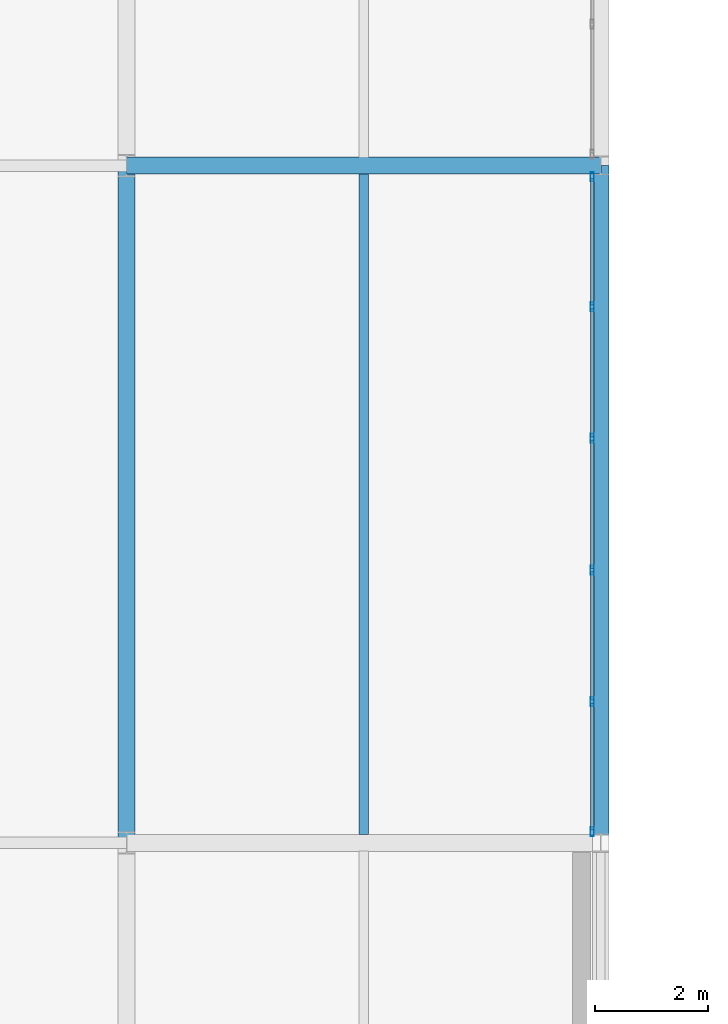
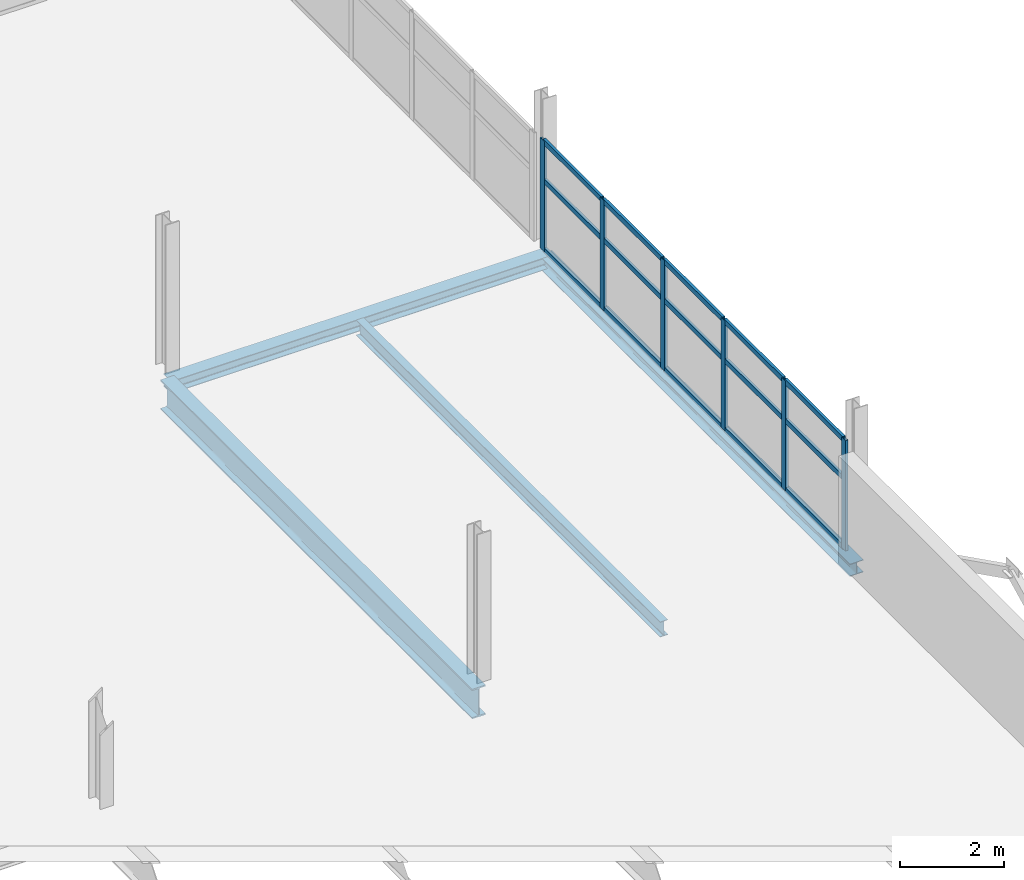
# One storey, part 57 of 103: 21 members, 4 beams, 1 element without a shape of its own.
"""IFC4 building model written with IfcOpenShell, lengths in metres."""

from ifc_helpers import new_model, si_unit, direction, frame, origin, origin_2d, place, context, subcontext, project, spatial, hollow_rectangle, i_section, extrude, material, material_profile, profile_set, type_object, element, aggregate, save


model = new_model("IFC4")

# Units and contexts
model_context = context("Model", 3, precision=1e-05, world=origin(), true_north=direction((0.0, 1.0)))
body_context = subcontext(model_context, "Body", "Model", "MODEL_VIEW")
ifc_project = project(units=[si_unit("LENGTHUNIT", "METRE"), si_unit("AREAUNIT", "SQUARE_METRE"), si_unit("VOLUMEUNIT", "CUBIC_METRE"), si_unit("PLANEANGLEUNIT", "RADIAN"), si_unit("MASSUNIT", "GRAM", prefix="KILO")], contexts=[model_context])

# Site, building, storey
site_placement = place(None, origin())
site = spatial("IfcSite", under=ifc_project, at=site_placement, CompositionType="ELEMENT")
building_placement = place(site_placement, origin())
building = spatial("IfcBuilding", under=site, at=building_placement, Name="Veltarok Museum of Natural Sciences", CompositionType="ELEMENT")
storey_placement = place(building_placement, frame((0.0, 0.0, 21.89990234375)))
storey = spatial("IfcBuildingStorey", under=building, at=storey_placement, Name="L04", CompositionType="ELEMENT", Elevation=21.89990234375)

# Curtain wall, members
ifc_material_1 = material(Name="Low-iron triple insulated glass", Category="glass")
curtain_wall_type = type_object("IfcCurtainWallType", Name="Curtain Wall System CW-V2E-L04-1-1166x259 (CW-V2E L04 1166x259cm)", PredefinedType="NOTDEFINED", material=ifc_material_1)
curtain_wall_placement = place(storey_placement, origin())
curtain_wall = element("IfcCurtainWall", 1, at=curtain_wall_placement, inside=storey, type_object=curtain_wall_type, Name="Curtain Wall CW-V2E-L04-1-1166x259 CW-0137", PredefinedType="NOTDEFINED")
ifc_material_2 = material(Name="Thermally broken anodised aluminium", Category="aluminium")
ifc_material_profile_1 = material_profile(ifc_material_2, hollow_rectangle(XDim=0.06005859375, YDim=0.1201171875, WallThickness=0.0048828125, at=origin_2d()), Name="CW TRANSOM 60x120x5")
ifc_profile_set_1 = profile_set([ifc_material_profile_1], Name="Thermally broken anodised aluminium")
member_type_1 = type_object("IfcMemberType", Name="Curtain Wall Horizontal Transom 60x120x5", PredefinedType="USERDEFINED", material=ifc_profile_set_1)
member_1_placement = place(storey_placement, frame((98.64990234375, 48.22998046875, 0.028076171875), z_axis=(0.0, 1.0, 0.0), x_axis=(-1.0, 0.0, 0.0)))
member_1 = element("IfcMember", 2, at=member_1_placement, type_object=member_type_1, Name="CW-V2E-L04-1-1166x259 transom 1.1", ObjectType="TRANSOM", PredefinedType="USERDEFINED", context=body_context, shape_type="SweptSolid", body=[
    extrude(hollow_rectangle(XDim=0.06005859375, YDim=0.1201171875, WallThickness=0.0048828125, at=origin_2d()), origin(), (0.0, 0.0, 1.0), 2.241943359375),
])
member_2_placement = place(storey_placement, frame((98.64990234375, 48.22998046875, 1.648193359375), z_axis=(0.0, 1.0, 0.0), x_axis=(-1.0, 0.0, 0.0)))
member_2 = element("IfcMember", 3, at=member_2_placement, type_object=member_type_1, Name="CW-V2E-L04-1-1166x259 transom 1.2", ObjectType="TRANSOM", PredefinedType="USERDEFINED", context=body_context, shape_type="SweptSolid", body=[
    extrude(hollow_rectangle(XDim=0.06005859375, YDim=0.1201171875, WallThickness=0.0048828125, at=origin_2d()), origin(), (0.0, 0.0, 1.0), 2.241943359375),
])
member_3_placement = place(storey_placement, frame((98.64990234375, 48.22998046875, 2.56005859375), z_axis=(0.0, 1.0, 0.0), x_axis=(-1.0, 0.0, 0.0)))
member_3 = element("IfcMember", 4, at=member_3_placement, type_object=member_type_1, Name="CW-V2E-L04-1-1166x259 transom 1.3", ObjectType="TRANSOM", PredefinedType="USERDEFINED", context=body_context, shape_type="SweptSolid", body=[
    extrude(hollow_rectangle(XDim=0.06005859375, YDim=0.1201171875, WallThickness=0.0048828125, at=origin_2d()), origin(), (0.0, 0.0, 1.0), 2.241943359375),
])
member_4_placement = place(storey_placement, frame((98.64990234375, 50.531982421875, 0.028076171875), z_axis=(0.0, 1.0, 0.0), x_axis=(-1.0, 0.0, 0.0)))
member_4 = element("IfcMember", 5, at=member_4_placement, type_object=member_type_1, Name="CW-V2E-L04-1-1166x259 transom 2.1", ObjectType="TRANSOM", PredefinedType="USERDEFINED", context=body_context, shape_type="SweptSolid", body=[
    extrude(hollow_rectangle(XDim=0.06005859375, YDim=0.1201171875, WallThickness=0.0048828125, at=origin_2d()), origin(), (0.0, 0.0, 1.0), 2.27197265625),
])
member_5_placement = place(storey_placement, frame((98.64990234375, 50.531982421875, 1.648193359375), z_axis=(0.0, 1.0, 0.0), x_axis=(-1.0, 0.0, 0.0)))
member_5 = element("IfcMember", 6, at=member_5_placement, type_object=member_type_1, Name="CW-V2E-L04-1-1166x259 transom 2.2", ObjectType="TRANSOM", PredefinedType="USERDEFINED", context=body_context, shape_type="SweptSolid", body=[
    extrude(hollow_rectangle(XDim=0.06005859375, YDim=0.1201171875, WallThickness=0.0048828125, at=origin_2d()), origin(), (0.0, 0.0, 1.0), 2.27197265625),
])
member_6_placement = place(storey_placement, frame((98.64990234375, 50.531982421875, 2.56005859375), z_axis=(0.0, 1.0, 0.0), x_axis=(-1.0, 0.0, 0.0)))
member_6 = element("IfcMember", 7, at=member_6_placement, type_object=member_type_1, Name="CW-V2E-L04-1-1166x259 transom 2.3", ObjectType="TRANSOM", PredefinedType="USERDEFINED", context=body_context, shape_type="SweptSolid", body=[
    extrude(hollow_rectangle(XDim=0.06005859375, YDim=0.1201171875, WallThickness=0.0048828125, at=origin_2d()), origin(), (0.0, 0.0, 1.0), 2.27197265625),
])
member_7_placement = place(storey_placement, frame((98.64990234375, 52.864013671875, 0.028076171875), z_axis=(0.0, 1.0, 0.0), x_axis=(-1.0, 0.0, 0.0)))
member_7 = element("IfcMember", 8, at=member_7_placement, type_object=member_type_1, Name="CW-V2E-L04-1-1166x259 transom 3.1", ObjectType="TRANSOM", PredefinedType="USERDEFINED", context=body_context, shape_type="SweptSolid", body=[
    extrude(hollow_rectangle(XDim=0.06005859375, YDim=0.1201171875, WallThickness=0.0048828125, at=origin_2d()), origin(), (0.0, 0.0, 1.0), 2.27197265625),
])
member_8_placement = place(storey_placement, frame((98.64990234375, 52.864013671875, 1.648193359375), z_axis=(0.0, 1.0, 0.0), x_axis=(-1.0, 0.0, 0.0)))
member_8 = element("IfcMember", 9, at=member_8_placement, type_object=member_type_1, Name="CW-V2E-L04-1-1166x259 transom 3.2", ObjectType="TRANSOM", PredefinedType="USERDEFINED", context=body_context, shape_type="SweptSolid", body=[
    extrude(hollow_rectangle(XDim=0.06005859375, YDim=0.1201171875, WallThickness=0.0048828125, at=origin_2d()), origin(), (0.0, 0.0, 1.0), 2.27197265625),
])
member_9_placement = place(storey_placement, frame((98.64990234375, 52.864013671875, 2.56005859375), z_axis=(0.0, 1.0, 0.0), x_axis=(-1.0, 0.0, 0.0)))
member_9 = element("IfcMember", 10, at=member_9_placement, type_object=member_type_1, Name="CW-V2E-L04-1-1166x259 transom 3.3", ObjectType="TRANSOM", PredefinedType="USERDEFINED", context=body_context, shape_type="SweptSolid", body=[
    extrude(hollow_rectangle(XDim=0.06005859375, YDim=0.1201171875, WallThickness=0.0048828125, at=origin_2d()), origin(), (0.0, 0.0, 1.0), 2.27197265625),
])
member_10_placement = place(storey_placement, frame((98.64990234375, 55.196044921875, 0.028076171875), z_axis=(0.0, 1.0, 0.0), x_axis=(-1.0, 0.0, 0.0)))
member_10 = element("IfcMember", 11, at=member_10_placement, type_object=member_type_1, Name="CW-V2E-L04-1-1166x259 transom 4.1", ObjectType="TRANSOM", PredefinedType="USERDEFINED", context=body_context, shape_type="SweptSolid", body=[
    extrude(hollow_rectangle(XDim=0.06005859375, YDim=0.1201171875, WallThickness=0.0048828125, at=origin_2d()), origin(), (0.0, 0.0, 1.0), 2.27197265625),
])
member_11_placement = place(storey_placement, frame((98.64990234375, 55.196044921875, 1.648193359375), z_axis=(0.0, 1.0, 0.0), x_axis=(-1.0, 0.0, 0.0)))
member_11 = element("IfcMember", 12, at=member_11_placement, type_object=member_type_1, Name="CW-V2E-L04-1-1166x259 transom 4.2", ObjectType="TRANSOM", PredefinedType="USERDEFINED", context=body_context, shape_type="SweptSolid", body=[
    extrude(hollow_rectangle(XDim=0.06005859375, YDim=0.1201171875, WallThickness=0.0048828125, at=origin_2d()), origin(), (0.0, 0.0, 1.0), 2.27197265625),
])
member_12_placement = place(storey_placement, frame((98.64990234375, 55.196044921875, 2.56005859375), z_axis=(0.0, 1.0, 0.0), x_axis=(-1.0, 0.0, 0.0)))
member_12 = element("IfcMember", 13, at=member_12_placement, type_object=member_type_1, Name="CW-V2E-L04-1-1166x259 transom 4.3", ObjectType="TRANSOM", PredefinedType="USERDEFINED", context=body_context, shape_type="SweptSolid", body=[
    extrude(hollow_rectangle(XDim=0.06005859375, YDim=0.1201171875, WallThickness=0.0048828125, at=origin_2d()), origin(), (0.0, 0.0, 1.0), 2.27197265625),
])
member_13_placement = place(storey_placement, frame((98.64990234375, 57.528076171875, 0.028076171875), z_axis=(0.0, 1.0, 0.0), x_axis=(-1.0, 0.0, 0.0)))
member_13 = element("IfcMember", 14, at=member_13_placement, type_object=member_type_1, Name="CW-V2E-L04-1-1166x259 transom 5.1", ObjectType="TRANSOM", PredefinedType="USERDEFINED", context=body_context, shape_type="SweptSolid", body=[
    extrude(hollow_rectangle(XDim=0.06005859375, YDim=0.1201171875, WallThickness=0.0048828125, at=origin_2d()), origin(), (0.0, 0.0, 1.0), 2.241943359375),
])
member_14_placement = place(storey_placement, frame((98.64990234375, 57.528076171875, 1.648193359375), z_axis=(0.0, 1.0, 0.0), x_axis=(-1.0, 0.0, 0.0)))
member_14 = element("IfcMember", 15, at=member_14_placement, type_object=member_type_1, Name="CW-V2E-L04-1-1166x259 transom 5.2", ObjectType="TRANSOM", PredefinedType="USERDEFINED", context=body_context, shape_type="SweptSolid", body=[
    extrude(hollow_rectangle(XDim=0.06005859375, YDim=0.1201171875, WallThickness=0.0048828125, at=origin_2d()), origin(), (0.0, 0.0, 1.0), 2.241943359375),
])
member_15_placement = place(storey_placement, frame((98.64990234375, 57.528076171875, 2.56005859375), z_axis=(0.0, 1.0, 0.0), x_axis=(-1.0, 0.0, 0.0)))
member_15 = element("IfcMember", 16, at=member_15_placement, type_object=member_type_1, Name="CW-V2E-L04-1-1166x259 transom 5.3", ObjectType="TRANSOM", PredefinedType="USERDEFINED", context=body_context, shape_type="SweptSolid", body=[
    extrude(hollow_rectangle(XDim=0.06005859375, YDim=0.1201171875, WallThickness=0.0048828125, at=origin_2d()), origin(), (0.0, 0.0, 1.0), 2.241943359375),
])
ifc_material_profile_2 = material_profile(ifc_material_2, hollow_rectangle(XDim=0.06005859375, YDim=0.159912109375, WallThickness=0.0048828125, at=origin_2d()), Name="CW MULLION 60x160x5")
ifc_profile_set_2 = profile_set([ifc_material_profile_2], Name="Thermally broken anodised aluminium")
member_type_2 = type_object("IfcMemberType", Name="Curtain Wall Vertical Mullion 60x160x5", PredefinedType="MULLION", material=ifc_profile_set_2)
member_16_placement = place(storey_placement, frame((98.64990234375, 48.199951171875, -0.001953125), z_axis=(0.0, 0.0, 1.0), x_axis=(-1.0, 0.0, 0.0)))
member_16 = element("IfcMember", 17, at=member_16_placement, type_object=member_type_2, Name="CW-V2E-L04-1-1166x259 mullion 1", PredefinedType="MULLION", context=body_context, shape_type="SweptSolid", body=[
    extrude(hollow_rectangle(XDim=0.06005859375, YDim=0.159912109375, WallThickness=0.0048828125, at=origin_2d()), origin(), (0.0, 0.0, 1.0), 2.592041015625),
])
member_17_placement = place(storey_placement, frame((98.64990234375, 50.501953125, -0.001953125), z_axis=(0.0, 0.0, 1.0), x_axis=(-1.0, 0.0, 0.0)))
member_17 = element("IfcMember", 18, at=member_17_placement, type_object=member_type_2, Name="CW-V2E-L04-1-1166x259 mullion 2", PredefinedType="MULLION", context=body_context, shape_type="SweptSolid", body=[
    extrude(hollow_rectangle(XDim=0.06005859375, YDim=0.159912109375, WallThickness=0.0048828125, at=origin_2d()), origin(), (0.0, 0.0, 1.0), 2.592041015625),
])
member_18_placement = place(storey_placement, frame((98.64990234375, 52.833984375, -0.001953125), z_axis=(0.0, 0.0, 1.0), x_axis=(-1.0, 0.0, 0.0)))
member_18 = element("IfcMember", 19, at=member_18_placement, type_object=member_type_2, Name="CW-V2E-L04-1-1166x259 mullion 3", PredefinedType="MULLION", context=body_context, shape_type="SweptSolid", body=[
    extrude(hollow_rectangle(XDim=0.06005859375, YDim=0.159912109375, WallThickness=0.0048828125, at=origin_2d()), origin(), (0.0, 0.0, 1.0), 2.592041015625),
])
member_19_placement = place(storey_placement, frame((98.64990234375, 55.166015625, -0.001953125), z_axis=(0.0, 0.0, 1.0), x_axis=(-1.0, 0.0, 0.0)))
member_19 = element("IfcMember", 20, at=member_19_placement, type_object=member_type_2, Name="CW-V2E-L04-1-1166x259 mullion 4", PredefinedType="MULLION", context=body_context, shape_type="SweptSolid", body=[
    extrude(hollow_rectangle(XDim=0.06005859375, YDim=0.159912109375, WallThickness=0.0048828125, at=origin_2d()), origin(), (0.0, 0.0, 1.0), 2.592041015625),
])
member_20_placement = place(storey_placement, frame((98.64990234375, 57.498046875, -0.001953125), z_axis=(0.0, 0.0, 1.0), x_axis=(-1.0, 0.0, 0.0)))
member_20 = element("IfcMember", 21, at=member_20_placement, type_object=member_type_2, Name="CW-V2E-L04-1-1166x259 mullion 5", PredefinedType="MULLION", context=body_context, shape_type="SweptSolid", body=[
    extrude(hollow_rectangle(XDim=0.06005859375, YDim=0.159912109375, WallThickness=0.0048828125, at=origin_2d()), origin(), (0.0, 0.0, 1.0), 2.592041015625),
])
member_21_placement = place(storey_placement, frame((98.64990234375, 59.800048828125, -0.001953125), z_axis=(0.0, 0.0, 1.0), x_axis=(-1.0, 0.0, 0.0)))
member_21 = element("IfcMember", 22, at=member_21_placement, type_object=member_type_2, Name="CW-V2E-L04-1-1166x259 mullion 6", PredefinedType="MULLION", context=body_context, shape_type="SweptSolid", body=[
    extrude(hollow_rectangle(XDim=0.06005859375, YDim=0.159912109375, WallThickness=0.0048828125, at=origin_2d()), origin(), (0.0, 0.0, 1.0), 2.592041015625),
])
aggregate(curtain_wall, [member_16, member_17, member_18, member_19, member_20, member_21, member_1, member_2, member_3, member_4, member_5, member_6, member_7, member_8, member_9, member_10, member_11, member_12, member_13, member_14, member_15])

# Beams
ifc_material_3 = material(Name="Steel S355J2", Category="steel")
ifc_material_profile_3 = material_profile(ifc_material_3, i_section(OverallWidth=0.300048828125, OverallDepth=0.2900390625, WebThickness=0.008544921875, FlangeThickness=0.013916015625, FilletRadius=0.027099609375, at=origin_2d()), Name="HEA 300")
ifc_profile_set_3 = profile_set([ifc_material_profile_3], Name="Steel S355J2")
beam_type_1 = type_object("IfcBeamType", Name="Glazed Hall Edge Spandrel HEA 300", PredefinedType="SPANDREL", material=ifc_profile_set_3)
beam_1_placement = place(storey_placement, frame((90.39990234375, 60.0, -0.39501953125), z_axis=(1.0, 0.0, 0.0), x_axis=(0.0, 1.0, 0.0)))
element("IfcBeam", 23, at=beam_1_placement, inside=storey, type_object=beam_type_1, Name="Beam BM-SP03 L04 11-12/G", PredefinedType="SPANDREL", context=body_context, shape_type="SweptSolid", body=[
    extrude(i_section(OverallWidth=0.300048828125, OverallDepth=0.2900390625, WebThickness=0.008544921875, FlangeThickness=0.013916015625, FilletRadius=0.027099609375, at=origin_2d()), origin(), (0.0, 0.0, 1.0), 8.400146484375),
])
beam_2_placement = place(storey_placement, frame((98.800048828125, 48.0, -0.39501953125), z_axis=(0.0, 1.0, 0.0), x_axis=(-1.0, 0.0, 0.0)))
element("IfcBeam", 24, at=beam_2_placement, inside=storey, type_object=beam_type_1, Name="Beam BM-SP03 L04 12/F-G", PredefinedType="SPANDREL", context=body_context, shape_type="SweptSolid", body=[
    extrude(i_section(OverallWidth=0.300048828125, OverallDepth=0.2900390625, WebThickness=0.008544921875, FlangeThickness=0.013916015625, FilletRadius=0.027099609375, at=origin_2d()), origin(), (0.0, 0.0, 1.0), 12.0),
])
ifc_material_profile_4 = material_profile(ifc_material_3, i_section(OverallWidth=0.169921875, OverallDepth=0.360107421875, WebThickness=0.008056640625, FlangeThickness=0.0126953125, FilletRadius=0.01806640625, at=origin_2d()), Name="IPE 360")
ifc_profile_set_4 = profile_set([ifc_material_profile_4], Name="Steel S355J2")
beam_type_2 = type_object("IfcBeamType", Name="Long-Bay Composite Joist IPE 360", PredefinedType="JOIST", material=ifc_profile_set_4)
beam_3_placement = place(storey_placement, frame((94.60009765625, 48.14794921875, -0.429931640625), z_axis=(0.0, 1.0, 0.0), x_axis=(-1.0, 0.0, 0.0)))
element("IfcBeam", 25, at=beam_3_placement, inside=storey, type_object=beam_type_2, Name="Secondary Joist BM-J01 L04 11-12/F-G.1", PredefinedType="JOIST", context=body_context, shape_type="SweptSolid", body=[
    extrude(i_section(OverallWidth=0.169921875, OverallDepth=0.360107421875, WebThickness=0.008056640625, FlangeThickness=0.0126953125, FilletRadius=0.01806640625, at=origin_2d()), origin(), (0.0, 0.0, 1.0), 11.7041015625),
])
ifc_material_profile_5 = material_profile(ifc_material_3, i_section(OverallWidth=0.300048828125, OverallDepth=0.699951171875, WebThickness=0.01708984375, FlangeThickness=0.031982421875, FilletRadius=0.027099609375, at=origin_2d()), Name="HEB 700")
ifc_profile_set_5 = profile_set([ifc_material_profile_5], Name="Steel S355J2")
beam_type_3 = type_object("IfcBeamType", Name="Long-Span Hall Girder HEB 700", PredefinedType="BEAM", material=ifc_profile_set_5)
beam_4_placement = place(storey_placement, frame((90.39990234375, 48.0, -0.599853515625), z_axis=(0.0, 1.0, 0.0), x_axis=(-1.0, 0.0, 0.0)))
element("IfcBeam", 26, at=beam_4_placement, inside=storey, type_object=beam_type_3, Name="Beam BM-G01 L04 11/F-G", PredefinedType="BEAM", context=body_context, shape_type="SweptSolid", body=[
    extrude(i_section(OverallWidth=0.300048828125, OverallDepth=0.699951171875, WebThickness=0.01708984375, FlangeThickness=0.031982421875, FilletRadius=0.027099609375, at=origin_2d()), origin(), (0.0, 0.0, 1.0), 12.0),
])

save(model, "model.ifc")
